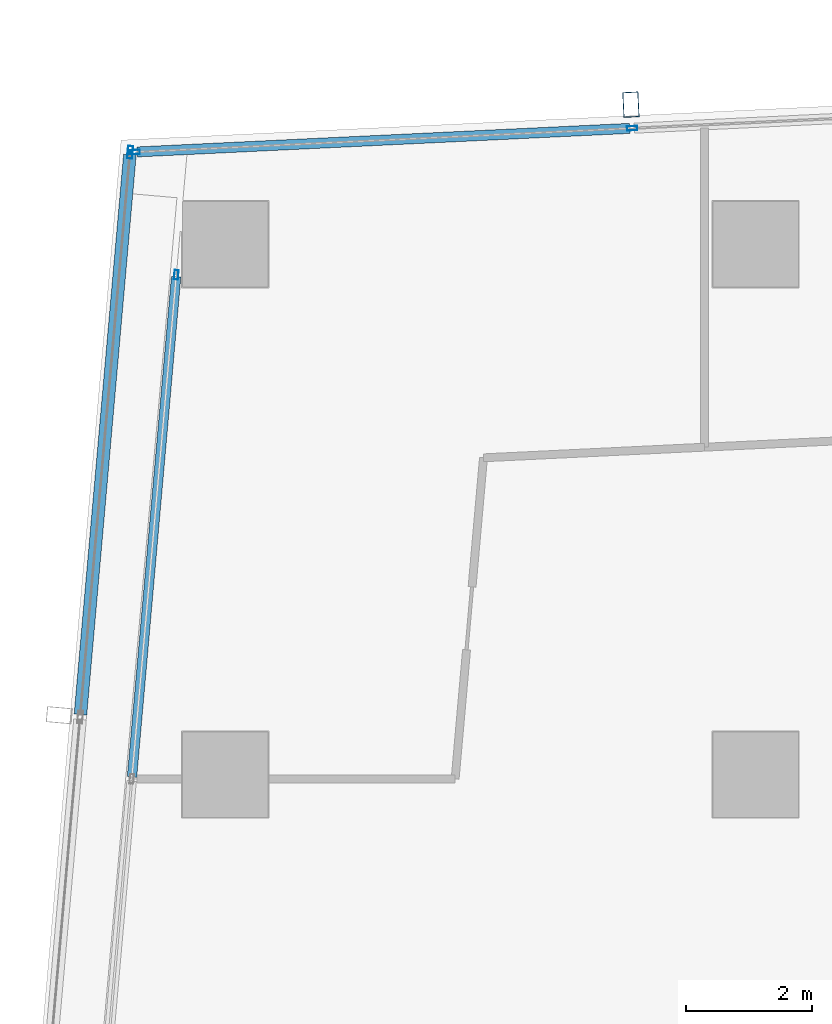
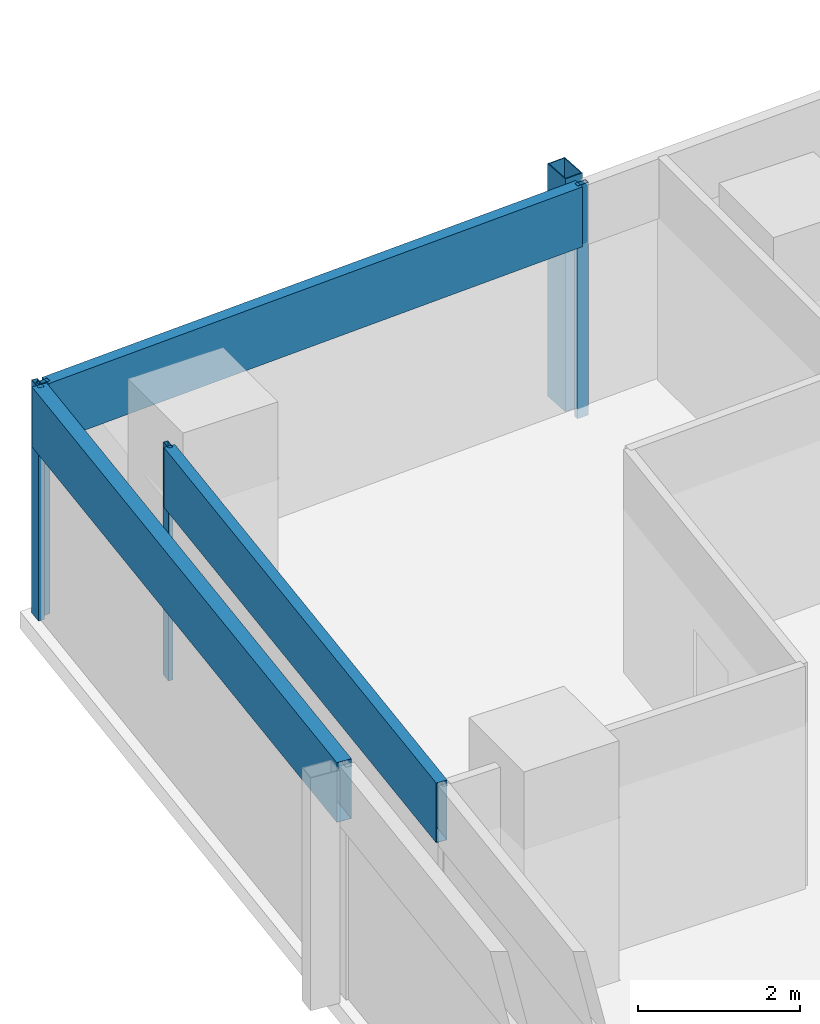
# One storey, part 17 of 38: 8 members, 3 elements without a shape of their own.
"""IFC4 building model written with IfcOpenShell, lengths in metres."""

from ifc_helpers import new_model, si_unit, direction, frame, origin, origin_2d, place, context, subcontext, project, spatial, hollow_rectangle, extrude, material, material_profile, profile_set, type_object, element, aggregate, save


model = new_model("IFC4")

# Units and contexts
model_context = context("Model", 3, precision=1e-05, world=origin(), true_north=direction((0.0, 1.0)))
body_context = subcontext(model_context, "Body", "Model", "MODEL_VIEW")
ifc_project = project(units=[si_unit("LENGTHUNIT", "METRE"), si_unit("AREAUNIT", "SQUARE_METRE"), si_unit("VOLUMEUNIT", "CUBIC_METRE"), si_unit("PLANEANGLEUNIT", "RADIAN"), si_unit("MASSUNIT", "GRAM", prefix="KILO")], contexts=[model_context])

# Site, building, storey
site_placement = place(None, origin())
site = spatial("IfcSite", under=ifc_project, at=site_placement, CompositionType="ELEMENT")
building_placement = place(site_placement, origin())
building = spatial("IfcBuilding", under=site, at=building_placement, Name="Rekha Terrace Tower", CompositionType="ELEMENT")
storey_placement = place(building_placement, frame((0.0, 0.0, 195.199951171875)))
storey = spatial("IfcBuildingStorey", under=building, at=storey_placement, Name="L49", CompositionType="ELEMENT", Elevation=195.199951171875)

# Curtain wall, member
ifc_material_1 = material(Name="Aluminium framing", Category="aluminium")
curtain_wall_type_1 = type_object("IfcCurtainWallType", Name="CW3 north unitised glazing", PredefinedType="USERDEFINED", material=ifc_material_1)
curtain_wall_1_placement = place(storey_placement, origin())
curtain_wall_1 = element("IfcCurtainWall", 1, at=curtain_wall_1_placement, inside=storey, type_object=curtain_wall_type_1, Name="CW3 unitised curtain wall", ObjectType="UNITISED CURTAIN WALL", PredefinedType="USERDEFINED")
ifc_material_2 = material(Name="Steel S355 with fluorocarbon finish", Category="steel")
ifc_material_profile_1 = material_profile(ifc_material_2, hollow_rectangle(XDim=0.25, YDim=0.39990234375, WallThickness=0.012451171875, at=origin_2d()), Name="RHS400x250x12.5")
ifc_profile_set_1 = profile_set([ifc_material_profile_1], Name="Steel S355 with fluorocarbon finish")
member_type_1 = type_object("IfcMemberType", Name="BL1 facade blade RHS 400 x 250", PredefinedType="USERDEFINED", material=ifc_profile_set_1)
member_1_placement = place(storey_placement, frame((14.824951171875, 61.01123046875, 0.0), z_axis=(0.0, 0.0, 1.0), x_axis=(-0.998858913274, -0.04775846913, 0.0)))
member_1 = element("IfcMember", 2, at=member_1_placement, type_object=member_type_1, Name="Facade blade", ObjectType="FACADE BLADE", PredefinedType="USERDEFINED", context=body_context, shape_type="SweptSolid", body=[
    extrude(hollow_rectangle(XDim=0.25, YDim=0.39990234375, WallThickness=0.012451171875, at=origin_2d()), origin(), (0.0, 0.0, 1.0), 3.5),
])

# Curtain wall, members
curtain_wall_type_2 = type_object("IfcCurtainWallType", Name="CW1 double skin inner glazing", PredefinedType="USERDEFINED", material=ifc_material_1)
curtain_wall_2_placement = place(storey_placement, origin())
curtain_wall_2 = element("IfcCurtainWall", 3, at=curtain_wall_2_placement, inside=storey, type_object=curtain_wall_type_2, Name="CW1 double skin inner glazing", ObjectType="DOUBLE SKIN INNER GLAZING", PredefinedType="USERDEFINED")
ifc_material_3 = material(Name="Aluminium mullion section", Category="aluminium")
ifc_material_profile_2 = material_profile(ifc_material_3, hollow_rectangle(XDim=0.06494140625, YDim=0.14990234375, WallThickness=0.00390625, at=origin_2d()), Name="AL RHS 65x150")
ifc_profile_set_2 = profile_set([ifc_material_profile_2], Name="Aluminium mullion section")
member_type_2 = type_object("IfcMemberType", Name="CW1 mullion RHS 65 x 150", PredefinedType="MULLION", material=ifc_profile_set_2)
member_2_placement = place(storey_placement, frame((7.625732421875, 58.316650390625, 0.0), z_axis=(0.0, 0.0, 1.0), x_axis=(0.996124185422, -0.087957985523, 0.0)))
member_2 = element("IfcMember", 4, at=member_2_placement, type_object=member_type_2, Name="CW1 mullion 1", PredefinedType="MULLION", context=body_context, shape_type="SweptSolid", body=[
    extrude(hollow_rectangle(XDim=0.06494140625, YDim=0.14990234375, WallThickness=0.00390625, at=origin_2d()), origin(), (0.0, 0.0, 1.0), 3.5),
])
ifc_material_4 = material(Name="Insulated aluminium spandrel box", Category="aluminium")
ifc_material_profile_3 = material_profile(ifc_material_4, hollow_rectangle(XDim=0.14990234375, YDim=0.89990234375, WallThickness=0.0029296875, at=origin_2d()), Name="AL SPANDREL BOX 150x900")
ifc_profile_set_3 = profile_set([ifc_material_profile_3], Name="Insulated aluminium spandrel box")
member_type_3 = type_object("IfcMemberType", Name="CW1 spandrel transom 150 x 900", PredefinedType="USERDEFINED", material=ifc_profile_set_3)
member_3_placement = place(storey_placement, frame((7.622802734375, 58.2841796875, 3.050048828125), z_axis=(-0.087941305291, -0.996125658149, 0.0), x_axis=(0.996125658149, -0.087941305291, 0.0)))
member_3 = element("IfcMember", 5, at=member_3_placement, type_object=member_type_3, Name="CW1 spandrel transom 1", ObjectType="TRANSOM", PredefinedType="USERDEFINED", context=body_context, shape_type="SweptSolid", body=[
    extrude(hollow_rectangle(XDim=0.14990234375, YDim=0.89990234375, WallThickness=0.0029296875, at=origin_2d()), origin(), (0.0, 0.0, 1.0), 7.950927734375),
])
aggregate(curtain_wall_2, [member_2, member_3])

curtain_wall_type_3 = type_object("IfcCurtainWallType", Name="CW2 double skin outer glazing", PredefinedType="USERDEFINED", material=ifc_material_1)
curtain_wall_3_placement = place(storey_placement, origin())
curtain_wall_3 = element("IfcCurtainWall", 6, at=curtain_wall_3_placement, inside=storey, type_object=curtain_wall_type_3, Name="CW2 double skin outer glazing", ObjectType="DOUBLE SKIN OUTER GLAZING", PredefinedType="USERDEFINED")
ifc_material_profile_4 = material_profile(ifc_material_3, hollow_rectangle(XDim=0.080078125, YDim=0.199951171875, WallThickness=0.00390625, at=origin_2d()), Name="AL RHS 80x200")
ifc_profile_set_4 = profile_set([ifc_material_profile_4], Name="Aluminium mullion section")
member_type_4 = type_object("IfcMemberType", Name="CW2 mullion RHS 80 x 200", PredefinedType="MULLION", material=ifc_profile_set_4)
member_4_placement = place(storey_placement, frame((6.8935546875, 60.257080078125, 0.0), z_axis=(0.0, 0.0, 1.0), x_axis=(0.996124185428, -0.087957985453, 0.0)))
member_4 = element("IfcMember", 7, at=member_4_placement, type_object=member_type_4, Name="CW2 mullion 1", PredefinedType="MULLION", context=body_context, shape_type="SweptSolid", body=[
    extrude(hollow_rectangle(XDim=0.080078125, YDim=0.199951171875, WallThickness=0.00390625, at=origin_2d()), origin(), (0.0, 0.0, 1.0), 3.5),
])
ifc_material_profile_5 = material_profile(ifc_material_4, hollow_rectangle(XDim=0.199951171875, YDim=0.89990234375, WallThickness=0.0029296875, at=origin_2d()), Name="AL SPANDREL BOX 200x900")
ifc_profile_set_5 = profile_set([ifc_material_profile_5], Name="Insulated aluminium spandrel box")
member_type_5 = type_object("IfcMemberType", Name="CW2 spandrel transom 200 x 900", PredefinedType="USERDEFINED", material=ifc_profile_set_5)
member_5_placement = place(storey_placement, frame((6.89013671875, 60.217041015625, 3.050048828125), z_axis=(-0.08797787529, -0.996122428951, 0.0), x_axis=(0.996122428951, -0.08797787529, 0.0)))
member_5 = element("IfcMember", 8, at=member_5_placement, type_object=member_type_5, Name="CW2 spandrel transom 1", ObjectType="TRANSOM", PredefinedType="USERDEFINED", context=body_context, shape_type="SweptSolid", body=[
    extrude(hollow_rectangle(XDim=0.199951171875, YDim=0.89990234375, WallThickness=0.0029296875, at=origin_2d()), origin(), (0.0, 0.0, 1.0), 8.8994140625),
])
aggregate(curtain_wall_3, [member_4, member_5])

# Member
ifc_material_profile_6 = material_profile(ifc_material_3, hollow_rectangle(XDim=0.070068359375, YDim=0.159912109375, WallThickness=0.00390625, at=origin_2d()), Name="AL RHS 70x160")
ifc_profile_set_6 = profile_set([ifc_material_profile_6], Name="Aluminium mullion section")
member_type_6 = type_object("IfcMemberType", Name="CW3 mullion RHS 70 x 160", PredefinedType="MULLION", material=ifc_profile_set_6)
member_6_placement = place(storey_placement, frame((14.843017578125, 60.63671875, 0.0), z_axis=(0.0, 0.0, 1.0), x_axis=(0.047758616983, -0.998858906204, 0.0)))
member_6 = element("IfcMember", 9, at=member_6_placement, type_object=member_type_6, Name="CW3 mullion 5", PredefinedType="MULLION", context=body_context, shape_type="SweptSolid", body=[
    extrude(hollow_rectangle(XDim=0.070068359375, YDim=0.159912109375, WallThickness=0.00390625, at=origin_2d()), origin(), (0.0, 0.0, 1.0), 3.5),
])

member_7_placement = place(storey_placement, frame((6.96875, 60.26025390625, 0.0), z_axis=(0.0, 0.0, 1.0), x_axis=(0.047758616983, -0.998858906204, 0.0)))
member_7 = element("IfcMember", 10, at=member_7_placement, type_object=member_type_6, Name="CW3 mullion 6", PredefinedType="MULLION", context=body_context, shape_type="SweptSolid", body=[
    extrude(hollow_rectangle(XDim=0.070068359375, YDim=0.159912109375, WallThickness=0.00390625, at=origin_2d()), origin(), (0.0, 0.0, 1.0), 3.5),
])

ifc_material_profile_7 = material_profile(ifc_material_4, hollow_rectangle(XDim=0.159912109375, YDim=0.89990234375, WallThickness=0.0029296875, at=origin_2d()), Name="AL SPANDREL BOX 160x900")
ifc_profile_set_7 = profile_set([ifc_material_profile_7], Name="Insulated aluminium spandrel box")
member_type_7 = type_object("IfcMemberType", Name="CW3 spandrel transom 160 x 900", PredefinedType="USERDEFINED", material=ifc_profile_set_7)
member_8_placement = place(storey_placement, frame((14.807861328125, 60.635009765625, 3.050048828125), z_axis=(-0.998859425172, -0.047747761666, 0.0), x_axis=(0.047747761666, -0.998859425172, 0.0)))
member_8 = element("IfcMember", 11, at=member_8_placement, type_object=member_type_7, Name="CW3 spandrel transom 5", ObjectType="TRANSOM", PredefinedType="USERDEFINED", context=body_context, shape_type="SweptSolid", body=[
    extrude(hollow_rectangle(XDim=0.159912109375, YDim=0.89990234375, WallThickness=0.0029296875, at=origin_2d()), origin(), (0.0, 0.0, 1.0), 7.81298828125),
])

aggregate(curtain_wall_1, [member_6, member_7, member_8, member_1])

save(model, "model.ifc")
